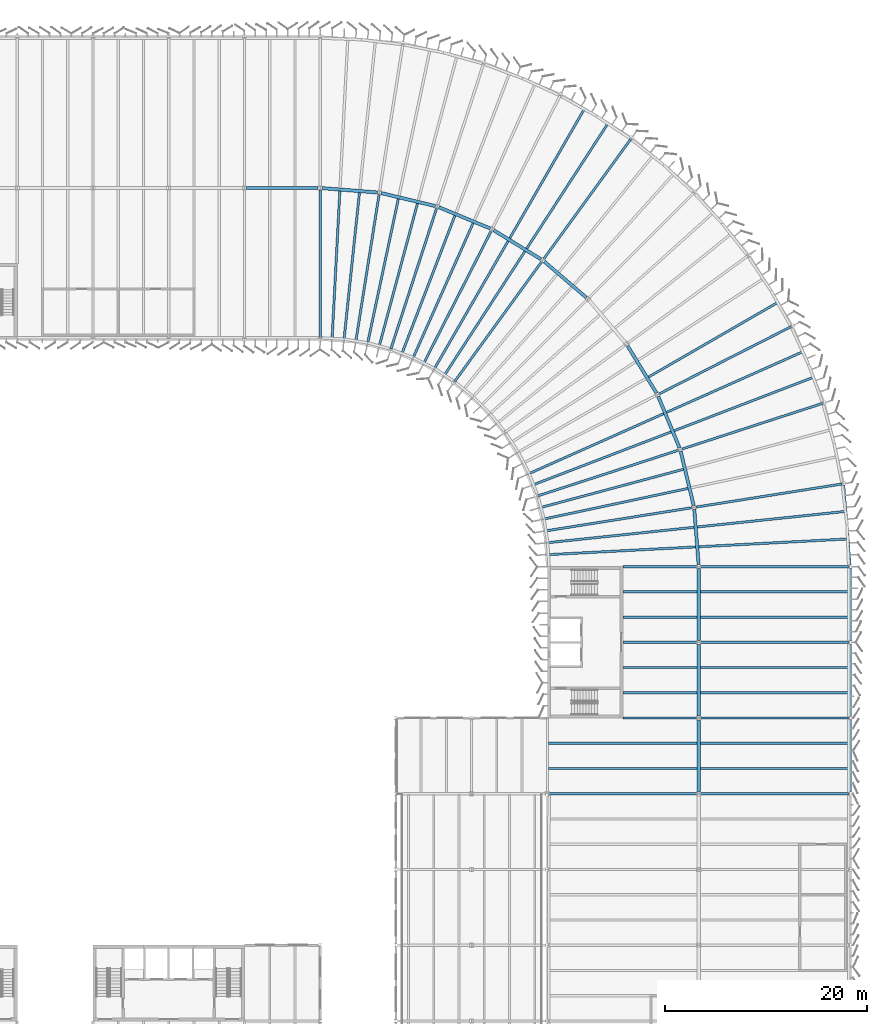
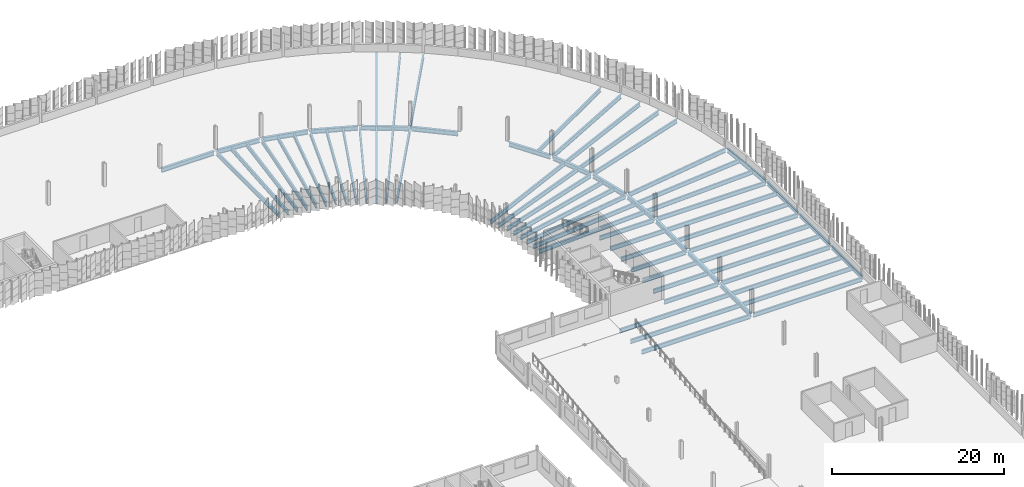
# One storey, part 54 of 214: 69 beams.
"""IFC4 building model written with IfcOpenShell, lengths in metres."""

from ifc_helpers import new_model, si_unit, direction, frame, origin, origin_2d, place, context, subcontext, project, spatial, i_section, extrude, material, material_profile, profile_set, type_object, element, save


model = new_model("IFC4")

# Units and contexts
model_context = context("Model", 3, precision=1e-05, world=origin(), true_north=direction((0.0, 1.0)))
body_context = subcontext(model_context, "Body", "Model", "MODEL_VIEW")
ifc_project = project(units=[si_unit("LENGTHUNIT", "METRE"), si_unit("AREAUNIT", "SQUARE_METRE"), si_unit("VOLUMEUNIT", "CUBIC_METRE"), si_unit("PLANEANGLEUNIT", "RADIAN"), si_unit("MASSUNIT", "GRAM", prefix="KILO")], contexts=[model_context])

# Site, building, storey
site_placement = place(None, origin())
site = spatial("IfcSite", under=ifc_project, at=site_placement, CompositionType="ELEMENT")
building_placement = place(site_placement, origin())
building = spatial("IfcBuilding", under=site, at=building_placement, Name="Parallax Yard Mobility Hub", CompositionType="ELEMENT")
storey_placement = place(building_placement, frame((0.0, 0.0, 3.300048828125)))
storey = spatial("IfcBuildingStorey", under=building, at=storey_placement, Name="L01", CompositionType="ELEMENT", Elevation=3.300048828125)

# Beams
ifc_material = material(Name="Steel ASTM A992", Category="steel")
ifc_material_profile_1 = material_profile(ifc_material, i_section(OverallWidth=0.208984375, OverallDepth=0.532958984375, WebThickness=0.01025390625, FlangeThickness=0.015625, FilletRadius=0.0126953125, at=origin_2d()), Name="W530x92")
ifc_profile_set_1 = profile_set([ifc_material_profile_1], Name="Steel ASTM A992")
beam_type_1 = type_object("IfcBeamType", Name="W530x92 edge beam", PredefinedType="SPANDREL", material=ifc_profile_set_1)
for number, where, z_axis, x_axis, name in (
    (1, (225.0, 67.653564453125, -0.406494140625), (0.0, 1.0, 0.0), (-1.0, 0.0, 0.0), "Edge beam SB5 level L01, line 31 of ramped parking decks, span 6"),
    (2, (225.0, 75.153564453125, -0.406494140625), (0.0, 1.0, 0.0), (-1.0, 0.0, 0.0), "Edge beam SB5 level L01, line 31 of ramped parking decks, span 7"),
    (3, (225.0, 82.653564453125, -0.406494140625), (0.0, 1.0, 0.0), (-1.0, 0.0, 0.0), "Edge beam SB5 level L01, line 31 of ramped parking decks, span 8"),
):
    element("IfcBeam", number, at=place(storey_placement, frame(where, z_axis=z_axis, x_axis=x_axis)), inside=storey, type_object=beam_type_1, Name=name, PredefinedType="SPANDREL", context=body_context, shape_type="SweptSolid", body=[
        extrude(i_section(OverallWidth=0.208984375, OverallDepth=0.532958984375, WebThickness=0.01025390625, FlangeThickness=0.015625, FilletRadius=0.0126953125, at=origin_2d()), origin(), (0.0, 0.0, 1.0), 7.19287109375),
    ])
ifc_material_profile_2 = material_profile(ifc_material, i_section(OverallWidth=0.22802734375, OverallDepth=0.60205078125, WebThickness=0.010498046875, FlangeThickness=0.014892578125, FilletRadius=0.0126953125, at=origin_2d()), Name="W610x101")
ifc_profile_set_2 = profile_set([ifc_material_profile_2], Name="Steel ASTM A992")
beam_type_2 = type_object("IfcBeamType", Name="W610x101 secondary beam", PredefinedType="JOIST", material=ifc_profile_set_2)
for number, where, z_axis, x_axis, name in (
    (4, (195.1044921875, 70.0, -0.441162109375), (1.0, 0.0, 0.0), (0.0, 1.0, 0.0), "Secondary beam B3 level L01, 2.5 m north of line K of ramped parking decks, span 1"),
    (5, (210.16259765625, 70.0, -0.441162109375), (1.0, 0.0, 0.0), (0.0, 1.0, 0.0), "Secondary beam B3 level L01, 2.5 m north of line K of ramped parking decks, span 2"),
):
    element("IfcBeam", number, at=place(storey_placement, frame(where, z_axis=z_axis, x_axis=x_axis)), inside=storey, type_object=beam_type_2, Name=name, PredefinedType="JOIST", context=body_context, shape_type="SweptSolid", body=[
        extrude(i_section(OverallWidth=0.22802734375, OverallDepth=0.60205078125, WebThickness=0.010498046875, FlangeThickness=0.014892578125, FilletRadius=0.0126953125, at=origin_2d()), origin(), (0.0, 0.0, 1.0), 14.73291015625),
    ])
beam_1_placement = place(storey_placement, frame((202.5, 77.5, -0.441162109375), z_axis=(1.0, 0.0, 0.0), x_axis=(0.0, 1.0, 0.0)))
element("IfcBeam", 6, at=beam_1_placement, inside=storey, type_object=beam_type_2, Name="Secondary beam B3 level L01, 2.5 m north of line L of ramped parking decks, span 1", PredefinedType="JOIST", context=body_context, shape_type="SweptSolid", body=[
    extrude(i_section(OverallWidth=0.22802734375, OverallDepth=0.60205078125, WebThickness=0.010498046875, FlangeThickness=0.014892578125, FilletRadius=0.0126953125, at=origin_2d()), origin(), (0.0, 0.0, 1.0), 7.33740234375),
])
beam_2_placement = place(storey_placement, frame((210.16259765625, 77.5, -0.441162109375), z_axis=(1.0, 0.0, 0.0), x_axis=(0.0, 1.0, 0.0)))
element("IfcBeam", 7, at=beam_2_placement, inside=storey, type_object=beam_type_2, Name="Secondary beam B3 level L01, 2.5 m north of line L of ramped parking decks, span 2", PredefinedType="JOIST", context=body_context, shape_type="SweptSolid", body=[
    extrude(i_section(OverallWidth=0.22802734375, OverallDepth=0.60205078125, WebThickness=0.010498046875, FlangeThickness=0.014892578125, FilletRadius=0.0126953125, at=origin_2d()), origin(), (0.0, 0.0, 1.0), 14.73291015625),
])
beam_3_placement = place(storey_placement, frame((202.5, 85.0, -0.441162109375), z_axis=(1.0, 0.0, 0.0), x_axis=(0.0, 1.0, 0.0)))
element("IfcBeam", 8, at=beam_3_placement, inside=storey, type_object=beam_type_2, Name="Secondary beam B3 level L01, 2.5 m north of line M of ramped parking decks, span 1", PredefinedType="JOIST", context=body_context, shape_type="SweptSolid", body=[
    extrude(i_section(OverallWidth=0.22802734375, OverallDepth=0.60205078125, WebThickness=0.010498046875, FlangeThickness=0.014892578125, FilletRadius=0.0126953125, at=origin_2d()), origin(), (0.0, 0.0, 1.0), 7.33740234375),
])
for number, where, z_axis, x_axis, name in (
    (9, (210.16259765625, 85.0, -0.441162109375), (1.0, 0.0, 0.0), (0.0, 1.0, 0.0), "Secondary beam B3 level L01, 2.5 m north of line M of ramped parking decks, span 2"),
    (10, (195.1044921875, 72.5, -0.441162109375), (1.0, 0.0, 0.0), (0.0, 1.0, 0.0), "Secondary beam B3 level L01, 5 m north of line K of ramped parking decks, span 1"),
    (11, (210.16259765625, 72.5, -0.441162109375), (1.0, 0.0, 0.0), (0.0, 1.0, 0.0), "Secondary beam B3 level L01, 5 m north of line K of ramped parking decks, span 2"),
):
    element("IfcBeam", number, at=place(storey_placement, frame(where, z_axis=z_axis, x_axis=x_axis)), inside=storey, type_object=beam_type_2, Name=name, PredefinedType="JOIST", context=body_context, shape_type="SweptSolid", body=[
        extrude(i_section(OverallWidth=0.22802734375, OverallDepth=0.60205078125, WebThickness=0.010498046875, FlangeThickness=0.014892578125, FilletRadius=0.0126953125, at=origin_2d()), origin(), (0.0, 0.0, 1.0), 14.73291015625),
    ])
beam_4_placement = place(storey_placement, frame((202.5, 80.0, -0.441162109375), z_axis=(1.0, 0.0, 0.0), x_axis=(0.0, 1.0, 0.0)))
element("IfcBeam", 12, at=beam_4_placement, inside=storey, type_object=beam_type_2, Name="Secondary beam B3 level L01, 5 m north of line L of ramped parking decks, span 1", PredefinedType="JOIST", context=body_context, shape_type="SweptSolid", body=[
    extrude(i_section(OverallWidth=0.22802734375, OverallDepth=0.60205078125, WebThickness=0.010498046875, FlangeThickness=0.014892578125, FilletRadius=0.0126953125, at=origin_2d()), origin(), (0.0, 0.0, 1.0), 7.33740234375),
])
beam_5_placement = place(storey_placement, frame((210.16259765625, 80.0, -0.441162109375), z_axis=(1.0, 0.0, 0.0), x_axis=(0.0, 1.0, 0.0)))
element("IfcBeam", 13, at=beam_5_placement, inside=storey, type_object=beam_type_2, Name="Secondary beam B3 level L01, 5 m north of line L of ramped parking decks, span 2", PredefinedType="JOIST", context=body_context, shape_type="SweptSolid", body=[
    extrude(i_section(OverallWidth=0.22802734375, OverallDepth=0.60205078125, WebThickness=0.010498046875, FlangeThickness=0.014892578125, FilletRadius=0.0126953125, at=origin_2d()), origin(), (0.0, 0.0, 1.0), 14.73291015625),
])
beam_6_placement = place(storey_placement, frame((202.5, 87.5, -0.441162109375), z_axis=(1.0, 0.0, 0.0), x_axis=(0.0, 1.0, 0.0)))
element("IfcBeam", 14, at=beam_6_placement, inside=storey, type_object=beam_type_2, Name="Secondary beam B3 level L01, 5 m north of line M of ramped parking decks, span 1", PredefinedType="JOIST", context=body_context, shape_type="SweptSolid", body=[
    extrude(i_section(OverallWidth=0.22802734375, OverallDepth=0.60205078125, WebThickness=0.010498046875, FlangeThickness=0.014892578125, FilletRadius=0.0126953125, at=origin_2d()), origin(), (0.0, 0.0, 1.0), 7.33740234375),
])
beam_7_placement = place(storey_placement, frame((210.16259765625, 87.5, -0.441162109375), z_axis=(1.0, 0.0, 0.0), x_axis=(0.0, 1.0, 0.0)))
element("IfcBeam", 15, at=beam_7_placement, inside=storey, type_object=beam_type_2, Name="Secondary beam B3 level L01, 5 m north of line M of ramped parking decks, span 2", PredefinedType="JOIST", context=body_context, shape_type="SweptSolid", body=[
    extrude(i_section(OverallWidth=0.22802734375, OverallDepth=0.60205078125, WebThickness=0.010498046875, FlangeThickness=0.014892578125, FilletRadius=0.0126953125, at=origin_2d()), origin(), (0.0, 0.0, 1.0), 14.73291015625),
])
for number, where, z_axis, x_axis, name in (
    (16, (177.18896484375, 112.06005859375, -0.441162109375), (0.207911657875, 0.978147607736, 0.0), (-0.978147607736, 0.207911657875, 0.0), "Secondary beam B3 level L01, radial at 12 degrees of ramped parking decks, span 1"),
    (17, (178.337158203125, 111.784423828125, -0.441162109375), (0.258813386129, 0.965927342589, 0.0), (-0.965927342589, 0.258813386129, 0.0), "Secondary beam B3 level L01, radial at 15 degrees of ramped parking decks, span 1"),
    (18, (180.582275390625, 111.054931640625, -0.441162109375), (0.358354982937, 0.933585403808, 0.0), (-0.933585403808, 0.358354982937, 0.0), "Secondary beam B3 level L01, radial at 21 degrees of ramped parking decks, span 1"),
    (19, (181.673095703125, 110.60302734375, -0.441162109375), (0.406743189488, 0.913542542964, 0.0), (-0.913542542964, 0.406743189488, 0.0), "Secondary beam B3 level L01, radial at 24 degrees of ramped parking decks, span 1"),
    (20, (173.680419921875, 112.52197265625, -0.441162109375), (0.052331034694, 0.99862979267, 0.0), (-0.99862979267, 0.052331034694, 0.0), "Secondary beam B3 level L01, radial at 3 degrees of ramped parking decks, span 1"),
):
    element("IfcBeam", number, at=place(storey_placement, frame(where, z_axis=z_axis, x_axis=x_axis)), inside=storey, type_object=beam_type_2, Name=name, PredefinedType="JOIST", context=body_context, shape_type="SweptSolid", body=[
        extrude(i_section(OverallWidth=0.22802734375, OverallDepth=0.60205078125, WebThickness=0.010498046875, FlangeThickness=0.014892578125, FilletRadius=0.0126953125, at=origin_2d()), origin(), (0.0, 0.0, 1.0), 14.681640625),
    ])
for number, where, z_axis, x_axis, name in (
    (21, (183.7763671875, 109.53125, -0.441162109375), (0.499994986164, 0.866028298505, 0.0), (-0.866028298505, 0.499994986164, 0.0), "Secondary beam B3 level L01, radial at 30 degrees of ramped parking decks, span 1"),
    (22, (191.27978515625, 122.527587890625, -0.441162109375), (0.499994986164, 0.866028298505, 0.0), (-0.866028298505, 0.499994986164, 0.0), "Secondary beam B3 level L01, radial at 30 degrees of ramped parking decks, span 2"),
):
    element("IfcBeam", number, at=place(storey_placement, frame(where, z_axis=z_axis, x_axis=x_axis)), inside=storey, type_object=beam_type_2, Name=name, PredefinedType="JOIST", context=body_context, shape_type="SweptSolid", body=[
        extrude(i_section(OverallWidth=0.22802734375, OverallDepth=0.60205078125, WebThickness=0.010498046875, FlangeThickness=0.014892578125, FilletRadius=0.0126953125, at=origin_2d()), origin(), (0.0, 0.0, 1.0), 14.681884765625),
    ])
beam_8_placement = place(storey_placement, frame((184.783203125, 108.914306640625, -0.441162109375), z_axis=(0.544628836303, 0.838677190978, 0.0), x_axis=(-0.838677190978, 0.544628836303, 0.0)))
element("IfcBeam", 23, at=beam_8_placement, inside=storey, type_object=beam_type_2, Name="Secondary beam B3 level L01, radial at 33 degrees of ramped parking decks, span 1", PredefinedType="JOIST", context=body_context, shape_type="SweptSolid", body=[
    extrude(i_section(OverallWidth=0.22802734375, OverallDepth=0.60205078125, WebThickness=0.010498046875, FlangeThickness=0.014892578125, FilletRadius=0.0126953125, at=origin_2d()), origin(), (0.0, 0.0, 1.0), 14.681640625),
])
for number, where, z_axis, x_axis, name in (
    (24, (192.95654296875, 121.500244140625, -0.441162109375), (0.544640532551, 0.838669595432, 0.0), (-0.838669595432, 0.544640532551, 0.0), "Secondary beam B3 level L01, radial at 33 degrees of ramped parking decks, span 2"),
    (25, (174.857421875, 112.42919921875, -0.441162109375), (0.104527244507, 0.994522023464, 0.0), (-0.994522023464, 0.104527244507, 0.0), "Secondary beam B3 level L01, radial at 6 degrees of ramped parking decks, span 1"),
    (26, (205.027587890625, 108.77978515625, -0.441162109375), (0.866028298505, 0.499994986164, 0.0), (-0.499994986164, 0.866028298505, 0.0), "Secondary beam B3 level L01, radial at 60 degrees of ramped parking decks, span 2"),
):
    element("IfcBeam", number, at=place(storey_placement, frame(where, z_axis=z_axis, x_axis=x_axis)), inside=storey, type_object=beam_type_2, Name=name, PredefinedType="JOIST", context=body_context, shape_type="SweptSolid", body=[
        extrude(i_section(OverallWidth=0.22802734375, OverallDepth=0.60205078125, WebThickness=0.010498046875, FlangeThickness=0.014892578125, FilletRadius=0.0126953125, at=origin_2d()), origin(), (0.0, 0.0, 1.0), 14.681884765625),
    ])
beam_9_placement = place(storey_placement, frame((193.10302734375, 99.173095703125, -0.441162109375), z_axis=(0.913542542964, 0.406743189488, 0.0), x_axis=(-0.406743189488, 0.913542542964, 0.0)))
element("IfcBeam", 27, at=beam_9_placement, inside=storey, type_object=beam_type_2, Name="Secondary beam B3 level L01, radial at 66 degrees of ramped parking decks, span 1", PredefinedType="JOIST", context=body_context, shape_type="SweptSolid", body=[
    extrude(i_section(OverallWidth=0.22802734375, OverallDepth=0.60205078125, WebThickness=0.010498046875, FlangeThickness=0.014892578125, FilletRadius=0.0126953125, at=origin_2d()), origin(), (0.0, 0.0, 1.0), 14.681640625),
])
beam_10_placement = place(storey_placement, frame((206.8125, 105.27685546875, -0.441162109375), z_axis=(0.913545293989, 0.406737010648, 0.0), x_axis=(-0.406737010648, 0.913545293989, 0.0)))
element("IfcBeam", 28, at=beam_10_placement, inside=storey, type_object=beam_type_2, Name="Secondary beam B3 level L01, radial at 66 degrees of ramped parking decks, span 2", PredefinedType="JOIST", context=body_context, shape_type="SweptSolid", body=[
    extrude(i_section(OverallWidth=0.22802734375, OverallDepth=0.60205078125, WebThickness=0.010498046875, FlangeThickness=0.014892578125, FilletRadius=0.0126953125, at=origin_2d()), origin(), (0.0, 0.0, 1.0), 14.681884765625),
])
for number, where, z_axis, x_axis, name in (
    (29, (193.554931640625, 98.082275390625, -0.441162109375), (0.933585403808, 0.358354982937, 0.0), (-0.358354982937, 0.933585403808, 0.0), "Secondary beam B3 level L01, radial at 69 degrees of ramped parking decks, span 1"),
    (30, (207.565185546875, 103.460205078125, -0.441162109375), (0.933579840414, 0.358369476341, 0.0), (-0.358369476341, 0.933579840414, 0.0), "Secondary beam B3 level L01, radial at 69 degrees of ramped parking decks, span 2"),
    (31, (194.284423828125, 95.837158203125, -0.441162109375), (0.965927342589, 0.258813386129, 0.0), (-0.258813386129, 0.965927342589, 0.0), "Secondary beam B3 level L01, radial at 75 degrees of ramped parking decks, span 1"),
    (32, (194.56005859375, 94.68896484375, -0.441162109375), (0.978147607736, 0.207911657875, 0.0), (-0.207911657875, 0.978147607736, 0.0), "Secondary beam B3 level L01, radial at 78 degrees of ramped parking decks, span 1"),
):
    element("IfcBeam", number, at=place(storey_placement, frame(where, z_axis=z_axis, x_axis=x_axis)), inside=storey, type_object=beam_type_2, Name=name, PredefinedType="JOIST", context=body_context, shape_type="SweptSolid", body=[
        extrude(i_section(OverallWidth=0.22802734375, OverallDepth=0.60205078125, WebThickness=0.010498046875, FlangeThickness=0.014892578125, FilletRadius=0.0126953125, at=origin_2d()), origin(), (0.0, 0.0, 1.0), 14.681640625),
    ])
beam_11_placement = place(storey_placement, frame((194.92919921875, 92.357421875, -0.441162109375), z_axis=(0.994522023464, 0.104527244507, 0.0), x_axis=(-0.104527244507, 0.994522023464, 0.0)))
element("IfcBeam", 33, at=beam_11_placement, inside=storey, type_object=beam_type_2, Name="Secondary beam B3 level L01, radial at 84 degrees of ramped parking decks, span 1", PredefinedType="JOIST", context=body_context, shape_type="SweptSolid", body=[
    extrude(i_section(OverallWidth=0.22802734375, OverallDepth=0.60205078125, WebThickness=0.010498046875, FlangeThickness=0.014892578125, FilletRadius=0.0126953125, at=origin_2d()), origin(), (0.0, 0.0, 1.0), 14.681884765625),
])
for number, where, z_axis, x_axis, name in (
    (34, (209.85400390625, 93.926025390625, -0.441162109375), (0.994521841777, 0.104528973154, 0.0), (-0.104528973154, 0.994521841777, 0.0), "Secondary beam B3 level L01, radial at 84 degrees of ramped parking decks, span 2"),
    (35, (195.02197265625, 91.180419921875, -0.441162109375), (0.99862979267, 0.052331034694, 0.0), (-0.052331034694, 0.99862979267, 0.0), "Secondary beam B3 level L01, radial at 87 degrees of ramped parking decks, span 1"),
    (36, (210.00830078125, 91.9658203125, -0.441162109375), (0.99862979267, 0.052331034694, 0.0), (-0.052331034694, 0.99862979267, 0.0), "Secondary beam B3 level L01, radial at 87 degrees of ramped parking decks, span 2"),
):
    element("IfcBeam", number, at=place(storey_placement, frame(where, z_axis=z_axis, x_axis=x_axis)), inside=storey, type_object=beam_type_2, Name=name, PredefinedType="JOIST", context=body_context, shape_type="SweptSolid", body=[
        extrude(i_section(OverallWidth=0.22802734375, OverallDepth=0.60205078125, WebThickness=0.010498046875, FlangeThickness=0.014892578125, FilletRadius=0.0126953125, at=origin_2d()), origin(), (0.0, 0.0, 1.0), 14.681640625),
    ])
ifc_material_profile_3 = material_profile(ifc_material, i_section(OverallWidth=0.22900390625, OverallDepth=0.612060546875, WebThickness=0.011962890625, FlangeThickness=0.01953125, FilletRadius=0.0126953125, at=origin_2d()), Name="W610x125")
ifc_profile_set_3 = profile_set([ifc_material_profile_3], Name="Steel ASTM A992")
beam_type_3 = type_object("IfcBeamType", Name="W610x125 edge beam", PredefinedType="SPANDREL", material=ifc_profile_set_3)
beam_12_placement = place(storey_placement, frame((224.36572265625, 98.059326171875, -0.446044921875), z_axis=(0.078443226125, -0.996918582571, 0.0), x_axis=(0.996918582571, 0.078443226125, 0.0)))
element("IfcBeam", 37, at=beam_12_placement, inside=storey, type_object=beam_type_3, Name="Edge beam SB7 level L01, ring RC of ramped parking decks, span 10", PredefinedType="SPANDREL", context=body_context, shape_type="SweptSolid", body=[
    extrude(i_section(OverallWidth=0.22900390625, OverallDepth=0.612060546875, WebThickness=0.011962890625, FlangeThickness=0.01953125, FilletRadius=0.0126953125, at=origin_2d()), origin(), (0.0, 0.0, 1.0), 7.93017578125),
])
ifc_material_profile_4 = material_profile(ifc_material, i_section(OverallWidth=0.22900390625, OverallDepth=0.612060546875, WebThickness=0.011962890625, FlangeThickness=0.01953125, FilletRadius=0.0126953125, at=origin_2d()), Name="W610x125")
ifc_profile_set_4 = profile_set([ifc_material_profile_4], Name="Steel ASTM A992")
beam_type_4 = type_object("IfcBeamType", Name="W610x125 girder", PredefinedType="BEAM", material=ifc_profile_set_4)
beam_13_placement = place(storey_placement, frame((172.5, 112.658935546875, -0.446044921875), z_axis=(0.0, 1.0, 0.0), x_axis=(-1.0, 0.0, 0.0)))
element("IfcBeam", 38, at=beam_13_placement, inside=storey, type_object=beam_type_4, Name="Girder G3 level L01, line 24 of ramped parking decks, span 1", PredefinedType="BEAM", context=body_context, shape_type="SweptSolid", body=[
    extrude(i_section(OverallWidth=0.22900390625, OverallDepth=0.612060546875, WebThickness=0.011962890625, FlangeThickness=0.01953125, FilletRadius=0.0126953125, at=origin_2d()), origin(), (0.0, 0.0, 1.0), 14.653076171875),
])
beam_14_placement = place(storey_placement, frame((195.18798828125, 67.5, -0.446044921875), z_axis=(1.0, 0.0, 0.0), x_axis=(0.0, 1.0, 0.0)))
element("IfcBeam", 39, at=beam_14_placement, inside=storey, type_object=beam_type_4, Name="Girder G3 level L01, line K of ramped parking decks, span 1", PredefinedType="BEAM", context=body_context, shape_type="SweptSolid", body=[
    extrude(i_section(OverallWidth=0.22900390625, OverallDepth=0.612060546875, WebThickness=0.011962890625, FlangeThickness=0.01953125, FilletRadius=0.0126953125, at=origin_2d()), origin(), (0.0, 0.0, 1.0), 14.62158203125),
])
beam_15_placement = place(storey_placement, frame((210.1904296875, 67.5, -0.446044921875), z_axis=(1.0, 0.0, 0.0), x_axis=(0.0, 1.0, 0.0)))
element("IfcBeam", 40, at=beam_15_placement, inside=storey, type_object=beam_type_4, Name="Girder G3 level L01, line K of ramped parking decks, span 2", PredefinedType="BEAM", context=body_context, shape_type="SweptSolid", body=[
    extrude(i_section(OverallWidth=0.22900390625, OverallDepth=0.612060546875, WebThickness=0.011962890625, FlangeThickness=0.01953125, FilletRadius=0.0126953125, at=origin_2d()), origin(), (0.0, 0.0, 1.0), 14.650634765625),
])
beam_16_placement = place(storey_placement, frame((202.5, 75.0, -0.446044921875), z_axis=(1.0, 0.0, 0.0), x_axis=(0.0, 1.0, 0.0)))
element("IfcBeam", 41, at=beam_16_placement, inside=storey, type_object=beam_type_4, Name="Girder G3 level L01, line L of ramped parking decks, span 1", PredefinedType="BEAM", context=body_context, shape_type="SweptSolid", body=[
    extrude(i_section(OverallWidth=0.22900390625, OverallDepth=0.612060546875, WebThickness=0.011962890625, FlangeThickness=0.01953125, FilletRadius=0.0126953125, at=origin_2d()), origin(), (0.0, 0.0, 1.0), 7.3095703125),
])
beam_17_placement = place(storey_placement, frame((210.1904296875, 75.0, -0.446044921875), z_axis=(1.0, 0.0, 0.0), x_axis=(0.0, 1.0, 0.0)))
element("IfcBeam", 42, at=beam_17_placement, inside=storey, type_object=beam_type_4, Name="Girder G3 level L01, line L of ramped parking decks, span 2", PredefinedType="BEAM", context=body_context, shape_type="SweptSolid", body=[
    extrude(i_section(OverallWidth=0.22900390625, OverallDepth=0.612060546875, WebThickness=0.011962890625, FlangeThickness=0.01953125, FilletRadius=0.0126953125, at=origin_2d()), origin(), (0.0, 0.0, 1.0), 14.650634765625),
])
beam_18_placement = place(storey_placement, frame((202.5, 82.5, -0.446044921875), z_axis=(1.0, 0.0, 0.0), x_axis=(0.0, 1.0, 0.0)))
element("IfcBeam", 43, at=beam_18_placement, inside=storey, type_object=beam_type_4, Name="Girder G3 level L01, line M of ramped parking decks, span 1", PredefinedType="BEAM", context=body_context, shape_type="SweptSolid", body=[
    extrude(i_section(OverallWidth=0.22900390625, OverallDepth=0.612060546875, WebThickness=0.011962890625, FlangeThickness=0.01953125, FilletRadius=0.0126953125, at=origin_2d()), origin(), (0.0, 0.0, 1.0), 7.3095703125),
])
beam_19_placement = place(storey_placement, frame((210.1904296875, 82.5, -0.446044921875), z_axis=(1.0, 0.0, 0.0), x_axis=(0.0, 1.0, 0.0)))
element("IfcBeam", 44, at=beam_19_placement, inside=storey, type_object=beam_type_4, Name="Girder G3 level L01, line M of ramped parking decks, span 2", PredefinedType="BEAM", context=body_context, shape_type="SweptSolid", body=[
    extrude(i_section(OverallWidth=0.22900390625, OverallDepth=0.612060546875, WebThickness=0.011962890625, FlangeThickness=0.01953125, FilletRadius=0.0126953125, at=origin_2d()), origin(), (0.0, 0.0, 1.0), 14.650634765625),
])
beam_20_placement = place(storey_placement, frame((202.5, 90.0, -0.446044921875), z_axis=(1.0, 0.0, 0.0), x_axis=(0.0, 1.0, 0.0)))
element("IfcBeam", 45, at=beam_20_placement, inside=storey, type_object=beam_type_4, Name="Girder G3 level L01, line N of ramped parking decks, span 1", PredefinedType="BEAM", context=body_context, shape_type="SweptSolid", body=[
    extrude(i_section(OverallWidth=0.22900390625, OverallDepth=0.612060546875, WebThickness=0.011962890625, FlangeThickness=0.01953125, FilletRadius=0.0126953125, at=origin_2d()), origin(), (0.0, 0.0, 1.0), 7.3095703125),
])
beam_21_placement = place(storey_placement, frame((210.1904296875, 90.0, -0.446044921875), z_axis=(1.0, 0.0, 0.0), x_axis=(0.0, 1.0, 0.0)))
element("IfcBeam", 46, at=beam_21_placement, inside=storey, type_object=beam_type_4, Name="Girder G3 level L01, line N of ramped parking decks, span 2", PredefinedType="BEAM", context=body_context, shape_type="SweptSolid", body=[
    extrude(i_section(OverallWidth=0.22900390625, OverallDepth=0.612060546875, WebThickness=0.011962890625, FlangeThickness=0.01953125, FilletRadius=0.0126953125, at=origin_2d()), origin(), (0.0, 0.0, 1.0), 14.650634765625),
])
for number, where, z_axis, x_axis, name in (
    (47, (179.501953125, 111.550048828125, -0.446044921875), (0.309021655194, 0.951055001891, 0.0), (-0.951055001891, 0.309021655194, 0.0), "Girder G3 level L01, radial R2 of ramped parking decks, span 1"),
    (48, (185.818603515625, 108.33154296875, -0.446044921875), (0.587789268182, 0.809014076645, 0.0), (-0.809014076645, 0.587789268182, 0.0), "Girder G3 level L01, radial R4 of ramped parking decks, span 1"),
):
    element("IfcBeam", number, at=place(storey_placement, frame(where, z_axis=z_axis, x_axis=x_axis)), inside=storey, type_object=beam_type_4, Name=name, PredefinedType="BEAM", context=body_context, shape_type="SweptSolid", body=[
        extrude(i_section(OverallWidth=0.22900390625, OverallDepth=0.612060546875, WebThickness=0.011962890625, FlangeThickness=0.01953125, FilletRadius=0.0126953125, at=origin_2d()), origin(), (0.0, 0.0, 1.0), 14.654541015625),
    ])
for number, where, z_axis, x_axis, name in (
    (49, (194.651611328125, 120.489013671875, -0.446044921875), (0.587778364153, 0.809021998856, 0.0), (-0.809021998856, 0.587778364153, 0.0), "Girder G3 level L01, radial R4 of ramped parking decks, span 2"),
    (50, (206.078857421875, 107.109375, -0.446044921875), (0.891009489982, 0.453984678995, 0.0), (-0.453984678995, 0.891009489982, 0.0), "Girder G3 level L01, radial R7 of ramped parking decks, span 1"),
):
    element("IfcBeam", number, at=place(storey_placement, frame(where, z_axis=z_axis, x_axis=x_axis)), inside=storey, type_object=beam_type_4, Name=name, PredefinedType="BEAM", context=body_context, shape_type="SweptSolid", body=[
        extrude(i_section(OverallWidth=0.22900390625, OverallDepth=0.612060546875, WebThickness=0.011962890625, FlangeThickness=0.01953125, FilletRadius=0.0126953125, at=origin_2d()), origin(), (0.0, 0.0, 1.0), 14.654296875),
    ])
beam_22_placement = place(storey_placement, frame((194.080078125, 97.01171875, -0.446044921875), z_axis=(0.951055169757, 0.309021138562, 0.0), x_axis=(-0.309021138562, 0.951055169757, 0.0)))
element("IfcBeam", 51, at=beam_22_placement, inside=storey, type_object=beam_type_4, Name="Girder G3 level L01, radial R8 of ramped parking decks, span 1", PredefinedType="BEAM", context=body_context, shape_type="SweptSolid", body=[
    extrude(i_section(OverallWidth=0.22900390625, OverallDepth=0.612060546875, WebThickness=0.011962890625, FlangeThickness=0.01953125, FilletRadius=0.0126953125, at=origin_2d()), origin(), (0.0, 0.0, 1.0), 14.623046875),
])
for number, where, z_axis, x_axis, name in (
    (52, (208.342041015625, 101.645751953125, -0.446044921875), (0.951055001891, 0.309021655194, 0.0), (-0.309021655194, 0.951055001891, 0.0), "Girder G3 level L01, radial R8 of ramped parking decks, span 2"),
    (53, (209.722412109375, 95.8955078125, -0.446044921875), (0.987688288931, 0.156434791233, 0.0), (-0.156434791233, 0.987688288931, 0.0), "Girder G3 level L01, radial R9 of ramped parking decks, span 1"),
):
    element("IfcBeam", number, at=place(storey_placement, frame(where, z_axis=z_axis, x_axis=x_axis)), inside=storey, type_object=beam_type_4, Name=name, PredefinedType="BEAM", context=body_context, shape_type="SweptSolid", body=[
        extrude(i_section(OverallWidth=0.22900390625, OverallDepth=0.612060546875, WebThickness=0.011962890625, FlangeThickness=0.01953125, FilletRadius=0.0126953125, at=origin_2d()), origin(), (0.0, 0.0, 1.0), 14.654541015625),
    ])
for number, where, z_axis, x_axis, name in (
    (54, (176.019775390625, 112.222900390625, -0.446044921875), (0.156437340942, 0.987687885093, 0.0), (-0.987687885093, 0.156437340942, 0.0), "Girder G3 level L01, radial R1 of ramped parking decks, span 2"),
    (55, (182.71484375, 110.047607421875, -0.446044921875), (0.453984292942, 0.891009686682, 0.0), (-0.891009686682, 0.453984292942, 0.0), "Girder G3 level L01, radial R3 of ramped parking decks, span 2"),
    (56, (194.722900390625, 93.519775390625, -0.446044921875), (0.987687885093, 0.156437340942, 0.0), (-0.156437340942, 0.987687885093, 0.0), "Girder G3 level L01, radial R9 of ramped parking decks, span 2"),
):
    element("IfcBeam", number, at=place(storey_placement, frame(where, z_axis=z_axis, x_axis=x_axis)), inside=storey, type_object=beam_type_4, Name=name, PredefinedType="BEAM", context=body_context, shape_type="SweptSolid", body=[
        extrude(i_section(OverallWidth=0.22900390625, OverallDepth=0.612060546875, WebThickness=0.011962890625, FlangeThickness=0.01953125, FilletRadius=0.0126953125, at=origin_2d()), origin(), (0.0, 0.0, 1.0), 14.8134765625),
    ])
ifc_material_profile_5 = material_profile(ifc_material, i_section(OverallWidth=0.324951171875, OverallDepth=0.612060546875, WebThickness=0.0126953125, FlangeThickness=0.01904296875, FilletRadius=0.0126953125, at=origin_2d()), Name="W610x155")
ifc_profile_set_5 = profile_set([ifc_material_profile_5], Name="Steel ASTM A992")
beam_type_5 = type_object("IfcBeamType", Name="W610x155 longitudinal beam", PredefinedType="BEAM", material=ifc_profile_set_5)
for number, where, z_axis, x_axis, name in (
    (57, (210.0, 67.697998046875, -0.446044921875), (0.0, 1.0, 0.0), (-1.0, 0.0, 0.0), "Longitudinal beam SB8 level L01, line 29 of ramped parking decks, span 7"),
    (58, (210.0, 75.197998046875, -0.446044921875), (0.0, 1.0, 0.0), (-1.0, 0.0, 0.0), "Longitudinal beam SB8 level L01, line 29 of ramped parking decks, span 8"),
    (59, (210.0, 82.697998046875, -0.446044921875), (0.0, 1.0, 0.0), (-1.0, 0.0, 0.0), "Longitudinal beam SB8 level L01, line 29 of ramped parking decks, span 9"),
):
    element("IfcBeam", number, at=place(storey_placement, frame(where, z_axis=z_axis, x_axis=x_axis)), inside=storey, type_object=beam_type_5, Name=name, PredefinedType="BEAM", context=body_context, shape_type="SweptSolid", body=[
        extrude(i_section(OverallWidth=0.324951171875, OverallDepth=0.612060546875, WebThickness=0.0126953125, FlangeThickness=0.01904296875, FilletRadius=0.0126953125, at=origin_2d()), origin(), (0.0, 0.0, 1.0), 7.10400390625),
    ])
beam_23_placement = place(storey_placement, frame((165.197998046875, 127.5, -0.446044921875), z_axis=(1.0, 0.0, 0.0), x_axis=(0.0, 1.0, 0.0)))
element("IfcBeam", 60, at=beam_23_placement, inside=storey, type_object=beam_type_5, Name="Longitudinal beam SB8 level L01, line T of ramped parking decks, span 19", PredefinedType="BEAM", context=body_context, shape_type="SweptSolid", body=[
    extrude(i_section(OverallWidth=0.324951171875, OverallDepth=0.612060546875, WebThickness=0.0126953125, FlangeThickness=0.01904296875, FilletRadius=0.0126953125, at=origin_2d()), origin(), (0.0, 0.0, 1.0), 7.10498046875),
])
beam_24_placement = place(storey_placement, frame((172.697021484375, 127.484619140625, -0.446044921875), z_axis=(0.996915264734, -0.078485380418, 0.0), x_axis=(0.078485380418, 0.996915264734, 0.0)))
element("IfcBeam", 61, at=beam_24_placement, inside=storey, type_object=beam_type_5, Name="Longitudinal beam SB8 level L01, ring RB of ramped parking decks, span 1", PredefinedType="BEAM", context=body_context, shape_type="SweptSolid", body=[
    extrude(i_section(OverallWidth=0.324951171875, OverallDepth=0.612060546875, WebThickness=0.0126953125, FlangeThickness=0.01904296875, FilletRadius=0.0126953125, at=origin_2d()), origin(), (0.0, 0.0, 1.0), 5.49951171875),
])
beam_25_placement = place(storey_placement, frame((178.548095703125, 126.99462890625, -0.446044921875), z_axis=(0.97237000614, -0.233445006714, 0.0), x_axis=(0.233445006714, 0.97237000614, 0.0)))
element("IfcBeam", 62, at=beam_25_placement, inside=storey, type_object=beam_type_5, Name="Longitudinal beam SB8 level L01, ring RB of ramped parking decks, span 2", PredefinedType="BEAM", context=body_context, shape_type="SweptSolid", body=[
    extrude(i_section(OverallWidth=0.324951171875, OverallDepth=0.612060546875, WebThickness=0.0126953125, FlangeThickness=0.01904296875, FilletRadius=0.0126953125, at=origin_2d()), origin(), (0.0, 0.0, 1.0), 5.510498046875),
])
for number, where, z_axis, x_axis, name in (
    (63, (184.260986328125, 125.593017578125, -0.446044921875), (0.923882370983, -0.382676579617, 0.0), (0.382676579617, 0.923882370983, 0.0), "Longitudinal beam SB8 level L01, ring RB of ramped parking decks, span 3"),
    (64, (189.68408203125, 123.31494140625, -0.446044921875), (0.852635000015, -0.522506992058, 0.0), (0.522506992058, 0.852635000015, 0.0), "Longitudinal beam SB8 level L01, ring RB of ramped parking decks, span 4"),
    (65, (194.68408203125, 120.216552734375, -0.446044921875), (0.760418804803, -0.649433015254, 0.0), (0.649433015254, 0.760418804803, 0.0), "Longitudinal beam SB8 level L01, ring RB of ramped parking decks, span 5"),
    (66, (202.935791015625, 111.88232421875, -0.446044921875), (0.522506992058, -0.852635000015, 0.0), (0.852635000015, 0.522506992058, 0.0), "Longitudinal beam SB8 level L01, ring RB of ramped parking decks, span 7"),
    (67, (205.984375, 106.851806640625, -0.446044921875), (0.382676579617, -0.923882370983, 0.0), (0.923882370983, 0.382676579617, 0.0), "Longitudinal beam SB8 level L01, ring RB of ramped parking decks, span 8"),
):
    element("IfcBeam", number, at=place(storey_placement, frame(where, z_axis=z_axis, x_axis=x_axis)), inside=storey, type_object=beam_type_5, Name=name, PredefinedType="BEAM", context=body_context, shape_type="SweptSolid", body=[
        extrude(i_section(OverallWidth=0.324951171875, OverallDepth=0.612060546875, WebThickness=0.0126953125, FlangeThickness=0.01904296875, FilletRadius=0.0126953125, at=origin_2d()), origin(), (0.0, 0.0, 1.0), 5.51025390625),
    ])
beam_26_placement = place(storey_placement, frame((208.208251953125, 101.40625, -0.446044921875), z_axis=(0.233445006714, -0.97237000614, 0.0), x_axis=(0.97237000614, 0.233445006714, 0.0)))
element("IfcBeam", 68, at=beam_26_placement, inside=storey, type_object=beam_type_5, Name="Longitudinal beam SB8 level L01, ring RB of ramped parking decks, span 9", PredefinedType="BEAM", context=body_context, shape_type="SweptSolid", body=[
    extrude(i_section(OverallWidth=0.324951171875, OverallDepth=0.612060546875, WebThickness=0.0126953125, FlangeThickness=0.01904296875, FilletRadius=0.0126953125, at=origin_2d()), origin(), (0.0, 0.0, 1.0), 5.510498046875),
])
beam_27_placement = place(storey_placement, frame((209.552978515625, 95.6796875, -0.446044921875), z_axis=(0.078455149755, -0.99691764428, 0.0), x_axis=(0.99691764428, 0.078455149755, 0.0)))
element("IfcBeam", 69, at=beam_27_placement, inside=storey, type_object=beam_type_5, Name="Longitudinal beam SB8 level L01, ring RB of ramped parking decks, span 10", PredefinedType="BEAM", context=body_context, shape_type="SweptSolid", body=[
    extrude(i_section(OverallWidth=0.324951171875, OverallDepth=0.612060546875, WebThickness=0.0126953125, FlangeThickness=0.01904296875, FilletRadius=0.0126953125, at=origin_2d()), origin(), (0.0, 0.0, 1.0), 5.49853515625),
])

save(model, "model.ifc")
